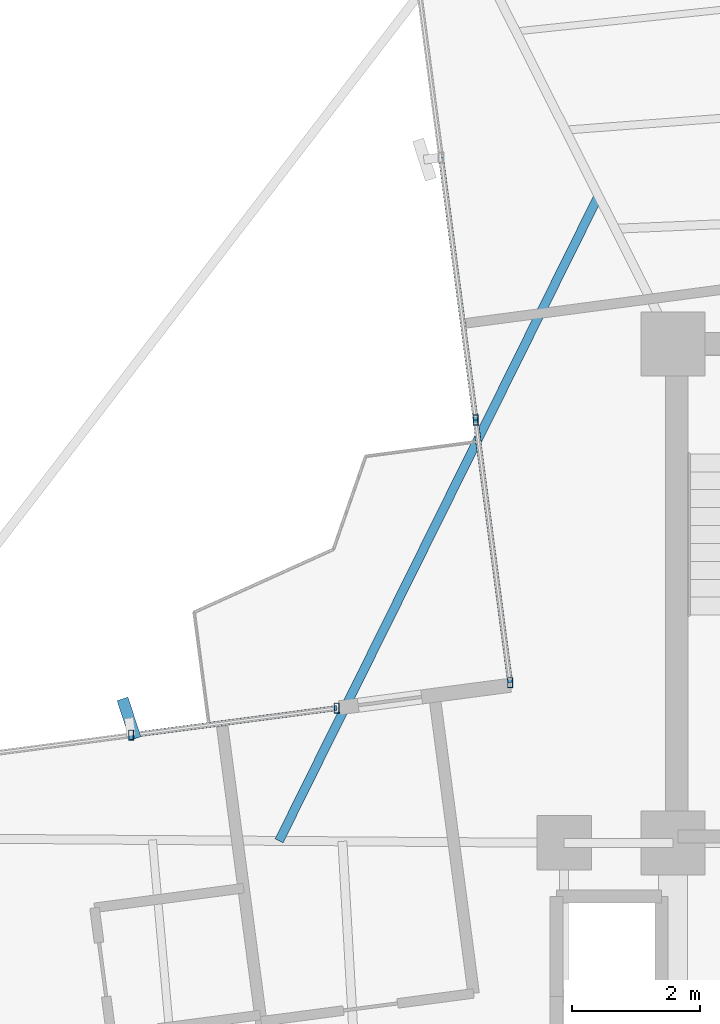
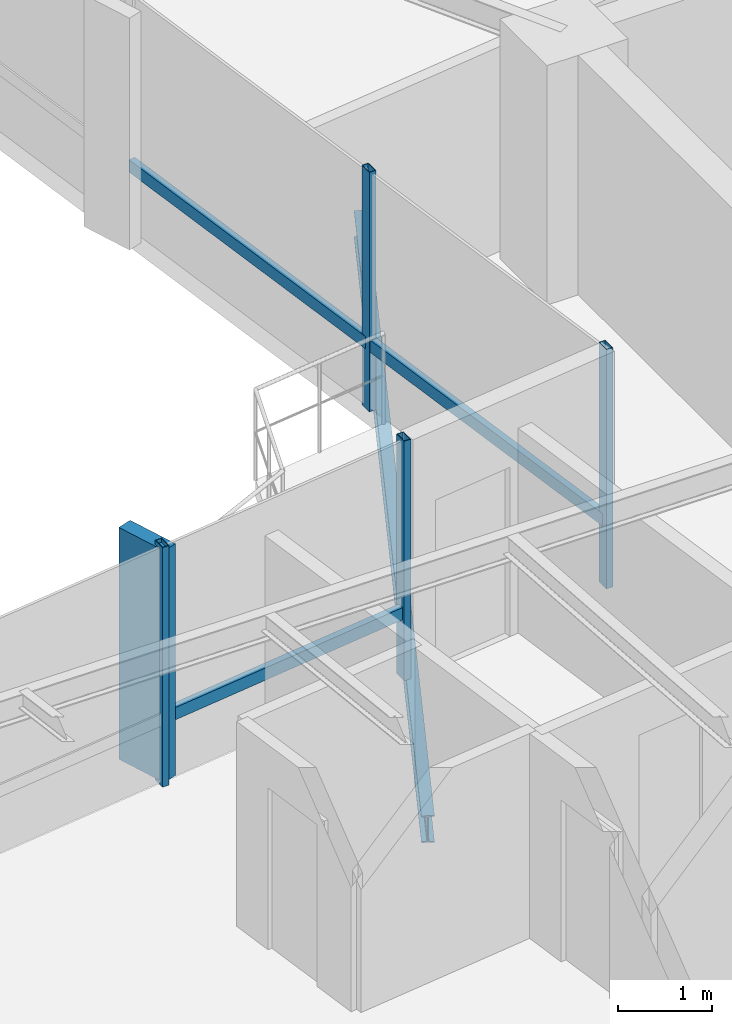
# One storey, part 8 of 21: 8 members, 1 beam, 2 elements without a shape of their own.
"""IFC4 building model written with IfcOpenShell, lengths in metres."""

from ifc_helpers import new_model, si_unit, direction, frame, origin, origin_2d, place, context, subcontext, project, spatial, rectangle, hollow_rectangle, i_section, extrude, source, transform, mapped, material, material_profile, profile_set, type_object, element, aggregate, save


model = new_model("IFC4")

# Units and contexts
model_context = context("Model", 3, precision=1e-05, world=origin(), true_north=direction((0.0, 1.0)))
body_context = subcontext(model_context, "Body", "Model", "MODEL_VIEW")
ifc_project = project(units=[si_unit("LENGTHUNIT", "METRE"), si_unit("AREAUNIT", "SQUARE_METRE"), si_unit("VOLUMEUNIT", "CUBIC_METRE"), si_unit("PLANEANGLEUNIT", "RADIAN"), si_unit("MASSUNIT", "GRAM", prefix="KILO")], contexts=[model_context])

# Site, building, storey
site_placement = place(None, origin())
site = spatial("IfcSite", under=ifc_project, at=site_placement, CompositionType="ELEMENT")
building_placement = place(site_placement, origin())
building = spatial("IfcBuilding", under=site, at=building_placement, Name="Sahyath Konkavel Grand Hotel", CompositionType="ELEMENT")
storey_placement = place(building_placement, frame((0.0, 0.0, 216.550048828125)))
storey = spatial("IfcBuildingStorey", under=building, at=storey_placement, Name="L60", CompositionType="ELEMENT", Elevation=216.550048828125)

# Curtain wall, members
ifc_material_1 = material(Name="Anodised Bronze Aluminium & Low-E Glazing", Category="aluminium")
curtain_wall_type = type_object("IfcCurtainWallType", Name="CW-ZONE4", PredefinedType="NOTDEFINED", material=ifc_material_1)
curtain_wall_1_placement = place(storey_placement, origin())
curtain_wall_1 = element("IfcCurtainWall", 1, at=curtain_wall_1_placement, inside=storey, type_object=curtain_wall_type, Name="L60 Unitised Curtain Wall F15", PredefinedType="NOTDEFINED")
ifc_material_2 = material(Name="Anodised Bronze Aluminium", Category="aluminium")
ifc_material_profile_1 = material_profile(ifc_material_2, hollow_rectangle(XDim=0.080078125, YDim=0.159912109375, WallThickness=0.006103515625, at=origin_2d()), Name="RHS 160x80x6")
ifc_profile_set_1 = profile_set([ifc_material_profile_1], Name="Anodised Bronze Aluminium")
member_type_1 = type_object("IfcMemberType", Name="CW-MUL-160", PredefinedType="MULLION", material=ifc_profile_set_1)
shared_shape_1 = source(origin(), body_context, "Body", "SweptSolid", [
    extrude(hollow_rectangle(XDim=0.080078125, YDim=0.159912109375, WallThickness=0.006103515625, at=origin_2d()), origin(), (0.0, 0.0, 1.0), 3.10986328125),
])
member_1_placement = place(storey_placement, frame((-6.884765625, 9.008544921875, 0.0), z_axis=(0.0, 0.0, 1.0), x_axis=(1.0, 0.0, 0.0)))
member_1 = element("IfcMember", 2, at=member_1_placement, type_object=member_type_1, Name="L60 Curtain Wall Mullion F15-2", PredefinedType="MULLION", context=body_context, shape_type="MappedRepresentation", body=[
    mapped(shared_shape_1, transform((0.0, 0.0, 0.0), scale=1.0)),
])
member_2_placement = place(storey_placement, frame((-6.34423828125, 4.90380859375, 0.0), z_axis=(0.0, 0.0, 1.0), x_axis=(1.0, 0.0, 0.0)))
member_2 = element("IfcMember", 3, at=member_2_placement, type_object=member_type_1, Name="L60 Curtain Wall Mullion F15-3", PredefinedType="MULLION", context=body_context, shape_type="MappedRepresentation", body=[
    mapped(shared_shape_1, transform((0.0, 0.0, 0.0), scale=1.0)),
])

curtain_wall_2_placement = place(storey_placement, origin())
curtain_wall_2 = element("IfcCurtainWall", 4, at=curtain_wall_2_placement, inside=storey, type_object=curtain_wall_type, Name="L60 Unitised Curtain Wall F16", PredefinedType="NOTDEFINED")
member_3_placement = place(storey_placement, frame((-9.0556640625, 4.506591796875, 0.0), z_axis=(0.0, 0.0, 1.0), x_axis=(1.0, 0.0, 0.0)))
member_3 = element("IfcMember", 5, at=member_3_placement, type_object=member_type_1, Name="L60 Curtain Wall Mullion F16-0", PredefinedType="MULLION", context=body_context, shape_type="MappedRepresentation", body=[
    mapped(shared_shape_1, transform((0.0, 0.0, 0.0), scale=1.0)),
])
member_4_placement = place(storey_placement, frame((-12.26806640625, 4.083740234375, 0.0), z_axis=(0.0, 0.0, 1.0), x_axis=(1.0, 0.0, 0.0)))
member_4 = element("IfcMember", 6, at=member_4_placement, type_object=member_type_1, Name="L60 Curtain Wall Mullion F16-1", PredefinedType="MULLION", context=body_context, shape_type="MappedRepresentation", body=[
    mapped(shared_shape_1, transform((0.0, 0.0, 0.0), scale=1.0)),
])
ifc_material_3 = material(Name="Warm Buff Sandstone Cladding on Concrete C50/60", Category="masonry")
ifc_material_profile_2 = material_profile(ifc_material_3, rectangle(XDim=0.179931640625, YDim=0.64990234375, at=origin_2d()), Name="FIN 180x650")
ifc_profile_set_2 = profile_set([ifc_material_profile_2], Name="Warm Buff Sandstone Cladding on Concrete C50/60")
member_type_2 = type_object("IfcMemberType", Name="FIN-SANDSTONE-650", PredefinedType="MULLION", material=ifc_profile_set_2)
shared_shape_2 = source(origin(), body_context, "Body", "SweptSolid", [
    extrude(rectangle(XDim=0.179931640625, YDim=0.64990234375, at=origin_2d()), origin(), (0.0, 0.0, 1.0), 3.010009765625),
])
member_5_placement = place(storey_placement, frame((-12.302001953125, 4.341552734375, 0.050048828125), z_axis=(0.0, 0.0, 1.0), x_axis=(0.951379596601, 0.308020881065, 0.0)))
member_5 = element("IfcMember", 7, at=member_5_placement, type_object=member_type_2, Name="L60 Sandstone Vertical Solar Fin FIN F16-1", PredefinedType="MULLION", context=body_context, shape_type="MappedRepresentation", body=[
    mapped(shared_shape_2, transform((0.0, 0.0, 0.0), scale=1.0)),
])
ifc_material_profile_3 = material_profile(ifc_material_2, hollow_rectangle(XDim=0.080078125, YDim=0.159912109375, WallThickness=0.006103515625, at=origin_2d()), Name="RHS 160x80x6")
ifc_profile_set_3 = profile_set([ifc_material_profile_3], Name="Anodised Bronze Aluminium")
member_type_3 = type_object("IfcMemberType", Name="CW-TRN-160", PredefinedType="USERDEFINED", material=ifc_profile_set_3)
shared_shape_3 = source(origin(), body_context, "Body", "SweptSolid", [
    extrude(hollow_rectangle(XDim=0.080078125, YDim=0.159912109375, WallThickness=0.006103515625, at=origin_2d()), origin(), (0.0, 0.0, 1.0), 3.240234375),
])
member_6_placement = place(storey_placement, frame((-9.0556640625, 4.506591796875, 0.849853515625), z_axis=(-0.991447626157, -0.130505189885, 0.0), x_axis=(0.130505189885, -0.991447626157, 0.0)))
member_6 = element("IfcMember", 8, at=member_6_placement, type_object=member_type_3, Name="L60 Curtain Wall Transom F16-0-spandrel", ObjectType="TRANSOM", PredefinedType="USERDEFINED", context=body_context, shape_type="MappedRepresentation", body=[
    mapped(shared_shape_3, transform((0.0, 0.0, 0.0), scale=1.0)),
])
aggregate(curtain_wall_2, [member_3, member_4, member_5, member_6])

# Member
shared_shape_4 = source(origin(), body_context, "Body", "SweptSolid", [
    extrude(hollow_rectangle(XDim=0.080078125, YDim=0.159912109375, WallThickness=0.006103515625, at=origin_2d()), origin(), (0.0, 0.0, 1.0), 4.139892578125),
])
member_7_placement = place(storey_placement, frame((-7.425048828125, 13.113037109375, 0.849853515625), z_axis=(0.130506379383, -0.991447469582, 0.0), x_axis=(0.991447469582, 0.130506379383, 0.0)))
member_7 = element("IfcMember", 9, at=member_7_placement, type_object=member_type_3, Name="L60 Curtain Wall Transom F15-1-spandrel", ObjectType="TRANSOM", PredefinedType="USERDEFINED", context=body_context, shape_type="MappedRepresentation", body=[
    mapped(shared_shape_4, transform((0.0, 0.0, 0.0), scale=1.0)),
])

shared_shape_5 = source(origin(), body_context, "Body", "SweptSolid", [
    extrude(hollow_rectangle(XDim=0.080078125, YDim=0.159912109375, WallThickness=0.006103515625, at=origin_2d()), origin(), (0.0, 0.0, 1.0), 4.14013671875),
])
member_8_placement = place(storey_placement, frame((-6.884765625, 9.008544921875, 0.849853515625), z_axis=(0.130556713596, -0.99144084268, 0.0), x_axis=(0.99144084268, 0.130556713596, 0.0)))
member_8 = element("IfcMember", 10, at=member_8_placement, type_object=member_type_3, Name="L60 Curtain Wall Transom F15-2-spandrel", ObjectType="TRANSOM", PredefinedType="USERDEFINED", context=body_context, shape_type="MappedRepresentation", body=[
    mapped(shared_shape_5, transform((0.0, 0.0, 0.0), scale=1.0)),
])

aggregate(curtain_wall_1, [member_1, member_2, member_7, member_8])

# Beam
ifc_material_4 = material(Name="Steel E350", Category="steel")
ifc_material_profile_4 = material_profile(ifc_material_4, i_section(OverallWidth=0.139892578125, OverallDepth=0.35009765625, WebThickness=0.008056640625, FlangeThickness=0.01416015625, FilletRadius=0.013916015625, at=origin_2d()), Name="ISMB 350")
ifc_profile_set_4 = profile_set([ifc_material_profile_4], Name="Steel E350")
beam_type = type_object("IfcBeamType", Name="BM-BALC-CANT", PredefinedType="BEAM", material=ifc_profile_set_4)
shared_shape_6 = source(origin(), body_context, "Body", "SweptSolid", [
    extrude(i_section(OverallWidth=0.139892578125, OverallDepth=0.35009765625, WebThickness=0.008056640625, FlangeThickness=0.01416015625, FilletRadius=0.013916015625, at=origin_2d()), origin(), (0.0, 0.0, 1.0), 11.25),
])
beam_placement = place(storey_placement, frame((-4.962890625, 12.512939453125, -0.4150390625), z_axis=(-0.443833696027, -0.896109173188, 0.0), x_axis=(0.896109173188, -0.443833696027, 0.0)))
element("IfcBeam", 11, at=beam_placement, inside=storey, type_object=beam_type, Name="L60 Balcony Cantilever Support Beam NW", PredefinedType="BEAM", context=body_context, shape_type="MappedRepresentation", body=[
    mapped(shared_shape_6, transform((0.0, 0.0, 0.0), scale=1.0)),
])

save(model, "model.ifc")
